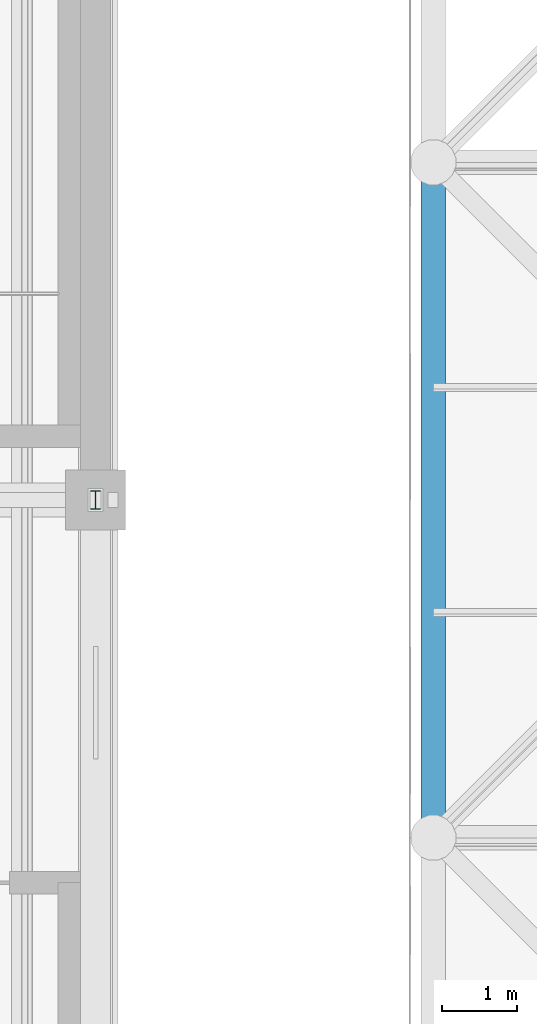
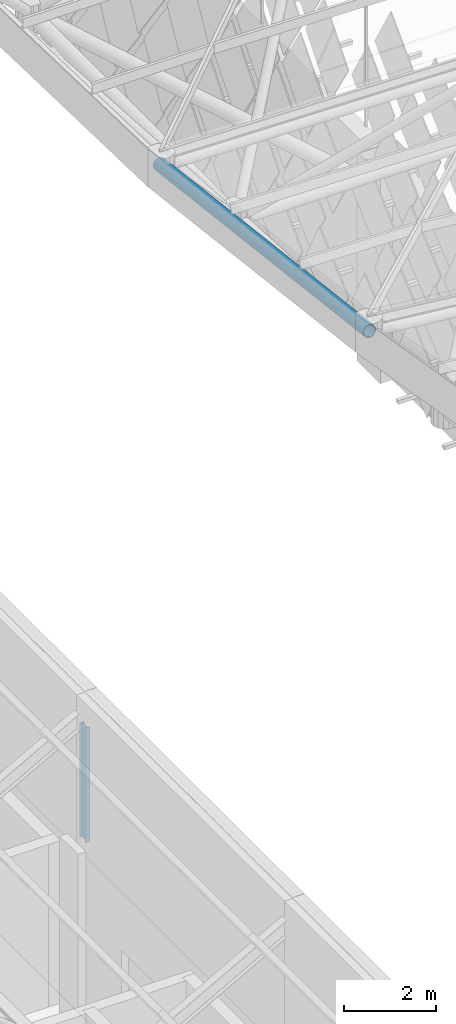
# One storey, part 76 of 437: 2 members.
"""IFC4 building model written with IfcOpenShell, lengths in metres."""

from ifc_helpers import new_model, si_unit, direction, frame, origin, origin_2d, place, context, subcontext, project, spatial, hollow_circle, i_section, extrude, material, material_profile, profile_set, type_object, element, save


model = new_model("IFC4")

# Units and contexts
model_context = context("Model", 3, precision=1e-05, world=origin(), true_north=direction((0.0, 1.0)))
body_context = subcontext(model_context, "Body", "Model", "MODEL_VIEW")
ifc_project = project(units=[si_unit("LENGTHUNIT", "METRE"), si_unit("AREAUNIT", "SQUARE_METRE"), si_unit("VOLUMEUNIT", "CUBIC_METRE"), si_unit("PLANEANGLEUNIT", "RADIAN"), si_unit("MASSUNIT", "GRAM", prefix="KILO")], contexts=[model_context])

# Site, building, storey
site_placement = place(None, origin())
site = spatial("IfcSite", under=ifc_project, at=site_placement, CompositionType="ELEMENT")
building_placement = place(site_placement, origin())
building = spatial("IfcBuilding", under=site, at=building_placement, Name="Opaline Strait Convention Centre", CompositionType="ELEMENT")
storey_placement = place(building_placement, frame((0.0, 0.0, 11.5)))
storey = spatial("IfcBuildingStorey", under=building, at=storey_placement, Name="L02", CompositionType="ELEMENT", Elevation=11.5)

# Members
ifc_material = material(Name="Steel Q355B", Category="steel")
ifc_material_profile_1 = material_profile(ifc_material, i_section(OverallWidth=0.125, OverallDepth=0.25, WebThickness=0.006103515625, FlangeThickness=0.009033203125, FilletRadius=0.008056640625, at=origin_2d()), Name="HN 250x125x6x9")
ifc_profile_set_1 = profile_set([ifc_material_profile_1], Name="Steel Q355B")
member_type_1 = type_object("IfcMemberType", Name="Roof post HN 250x125x6x9", PredefinedType="STRUT", material=ifc_profile_set_1)
member_1_placement = place(storey_placement, frame((81.0, 90.0, 4.68994140625), z_axis=(0.0, 0.0, 1.0), x_axis=(1.0, 0.0, 0.0)))
element("IfcMember", 1, at=member_1_placement, inside=storey, type_object=member_type_1, Name="RP1 roof post at 81/90", PredefinedType="STRUT", context=body_context, shape_type="SweptSolid", body=[
    extrude(i_section(OverallWidth=0.125, OverallDepth=0.25, WebThickness=0.006103515625, FlangeThickness=0.009033203125, FilletRadius=0.008056640625, at=origin_2d()), origin(), (0.0, 0.0, 1.0), 3.031005859375),
])
ifc_material_profile_2 = material_profile(ifc_material, hollow_circle(Radius=0.16259765625, WallThickness=0.02001953125, at=origin_2d()), Name="CHS 325x20")
ifc_profile_set_2 = profile_set([ifc_material_profile_2], Name="Steel Q355B")
member_type_2 = type_object("IfcMemberType", Name="Space frame top chord CHS 325x20", PredefinedType="CHORD", material=ifc_profile_set_2)
member_2_placement = place(storey_placement, frame((85.5, 85.450439453125, 19.3173828125), z_axis=(0.0, 0.992783260631, -0.119922464163), x_axis=(-1.0, 0.0, 0.0)))
element("IfcMember", 2, at=member_2_placement, inside=storey, type_object=member_type_2, Name="EXB-RF-TY-0-5", PredefinedType="CHORD", context=body_context, shape_type="SweptSolid", body=[
    extrude(hollow_circle(Radius=0.16259765625, WallThickness=0.02001953125, at=origin_2d()), origin(), (0.0, 0.0, 1.0), 9.165283203125),
])

save(model, "model.ifc")
